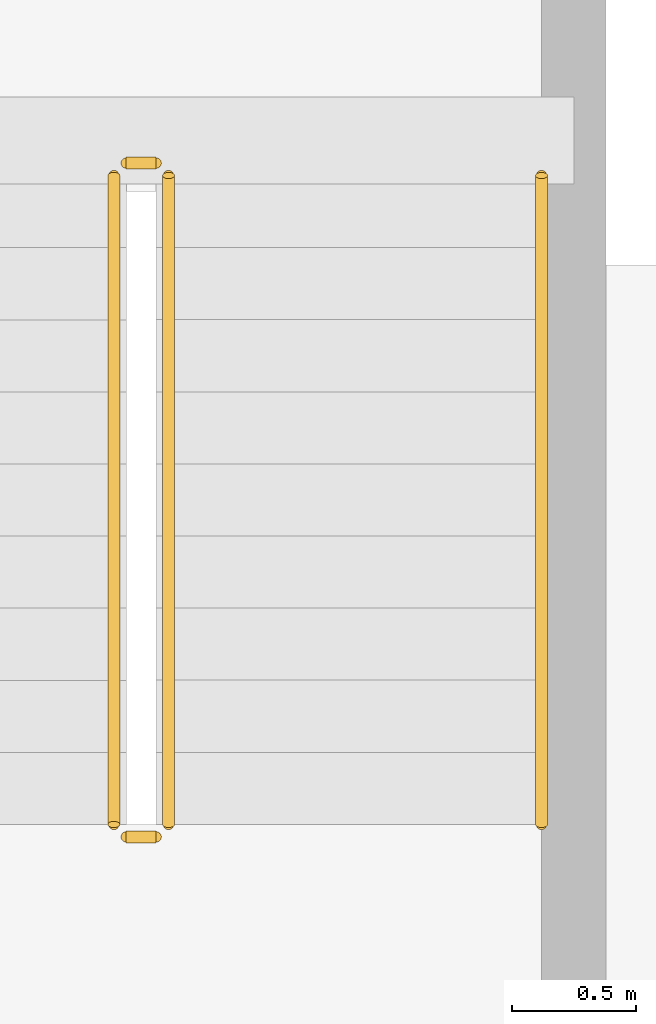
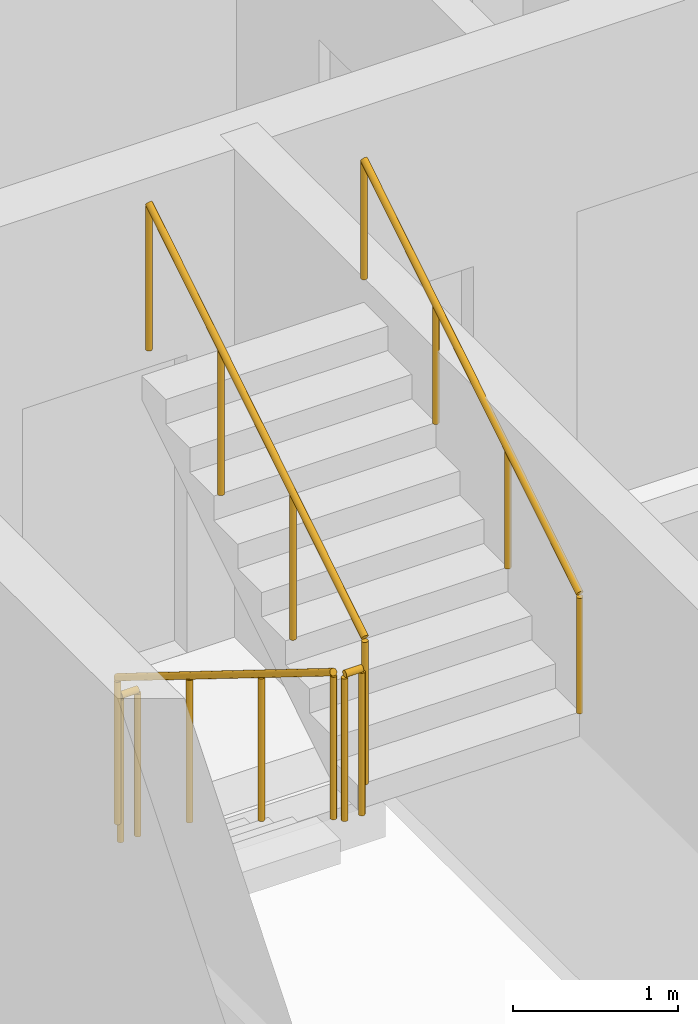
# One storey, part 10 of 11: 5 railings.
"""IFC4 building model written with IfcOpenShell, lengths in metres."""

from ifc_helpers import new_model, si_unit, direction, frame, origin, origin_2d, place, context, subcontext, project, spatial, circle, extrude, material, type_object, element, save


model = new_model("IFC4")

# Units and contexts
model_context = context("Model", 3, precision=1e-05, world=origin(), true_north=direction((0.0, 1.0)))
body_context = subcontext(model_context, "Body", "Model", "MODEL_VIEW")
ifc_project = project(units=[si_unit("LENGTHUNIT", "METRE"), si_unit("AREAUNIT", "SQUARE_METRE"), si_unit("VOLUMEUNIT", "CUBIC_METRE"), si_unit("PLANEANGLEUNIT", "RADIAN"), si_unit("MASSUNIT", "GRAM", prefix="KILO")], contexts=[model_context])

# Site, building, storey
site_placement = place(None, origin())
site = spatial("IfcSite", under=ifc_project, at=site_placement, CompositionType="ELEMENT")
building_placement = place(site_placement, origin())
building = spatial("IfcBuilding", under=site, at=building_placement, Name="Vharandega Faculty of Natural Sciences", CompositionType="ELEMENT")
storey_placement = place(building_placement, frame((0.0, 0.0, 39.60009765625)))
storey = spatial("IfcBuildingStorey", under=building, at=storey_placement, Name="L10", CompositionType="ELEMENT", Elevation=39.60009765625)

# Railings
ifc_material_1 = material(Name="Brushed stainless steel handrail", Category="steel")
railing_type_1 = type_object("IfcRailingType", Name="Stair Tubular Handrail 900", PredefinedType="HANDRAIL", material=ifc_material_1)
railing_1_placement = place(storey_placement, frame((149.330078125, 68.050048828125, 1.97998046875)))
element("IfcRailing", 1, at=railing_1_placement, inside=storey, type_object=railing_type_1, Name="L10 ST2 stair handrail 2", PredefinedType="HANDRAIL", context=body_context, shape_type="SweptSolid", body=[
    extrude(circle(Radius=0.02392578125, at=origin_2d()), frame((0.0, 0.0, 0.8759765625), z_axis=(0.0, 0.849646306263, 0.527352969322), x_axis=(-1.0, 0.0, 0.0)), (0.0, 0.0, 1.0), 3.07177734375),
    extrude(circle(Radius=0.02099609375, at=origin_2d()), origin(), (0.0, 0.0, 1.0), 0.851806640625),
    extrude(circle(Radius=0.02099609375, at=origin_2d()), frame((0.0, 0.869873046875, 0.5400390625)), (0.0, 0.0, 1.0), 0.851806640625),
    extrude(circle(Radius=0.02099609375, at=origin_2d()), frame((0.0, 1.739990234375, 1.079833984375)), (0.0, 0.0, 1.0), 0.851806640625),
    extrude(circle(Radius=0.02099609375, at=origin_2d()), frame((0.0, 2.60986328125, 1.619873046875)), (0.0, 0.0, 1.0), 0.851806640625),
])
ifc_material_2 = material(Name="Painted steel stair guardrail", Category="steel")
railing_type_2 = type_object("IfcRailingType", Name="Stairwell Steel Guardrail 1100", PredefinedType="GUARDRAIL", material=ifc_material_2)
railing_2_placement = place(storey_placement, frame((147.610107421875, 70.659912109375, 0.179931640625)))
element("IfcRailing", 2, at=railing_2_placement, inside=storey, type_object=railing_type_2, Name="L10 ST2 stair guard 1", PredefinedType="GUARDRAIL", context=body_context, shape_type="SweptSolid", body=[
    extrude(circle(Radius=0.02392578125, at=origin_2d()), frame((0.0, 0.0, 1.076171875), z_axis=(0.0, -0.849646306263, 0.527352969322), x_axis=(1.0, 0.0, 0.0)), (0.0, 0.0, 1.0), 3.07177734375),
    extrude(circle(Radius=0.02099609375, at=origin_2d()), origin(), (0.0, 0.0, 1.0), 1.052001953125),
    extrude(circle(Radius=0.02099609375, at=origin_2d()), frame((0.0, -0.869873046875, 0.5400390625)), (0.0, 0.0, 1.0), 1.052001953125),
    extrude(circle(Radius=0.02099609375, at=origin_2d()), frame((0.0, -1.739990234375, 1.079833984375)), (0.0, 0.0, 1.0), 1.052001953125),
    extrude(circle(Radius=0.02099609375, at=origin_2d()), frame((0.0, -2.60986328125, 1.619873046875)), (0.0, 0.0, 1.0), 1.052001953125),
])
railing_3_placement = place(storey_placement, frame((147.659912109375, 68.0, 1.7998046875)))
element("IfcRailing", 3, at=railing_3_placement, inside=storey, type_object=railing_type_2, Name="L10 ST2 stair guard 2", PredefinedType="GUARDRAIL", context=body_context, shape_type="SweptSolid", body=[
    extrude(circle(Radius=0.02392578125, at=origin_2d()), frame((0.0, 0.0, 1.076171875), z_axis=(1.0, 0.0, 0.0), x_axis=(0.0, 1.0, 0.0)), (0.0, 0.0, 1.0), 0.1201171875),
    extrude(circle(Radius=0.02099609375, at=origin_2d()), origin(), (0.0, 0.0, 1.0), 1.052001953125),
    extrude(circle(Radius=0.02099609375, at=origin_2d()), frame((0.1201171875, 0.0, 0.0)), (0.0, 0.0, 1.0), 1.052001953125),
])
railing_4_placement = place(storey_placement, frame((147.830078125, 68.050048828125, 1.97998046875)))
element("IfcRailing", 4, at=railing_4_placement, inside=storey, type_object=railing_type_2, Name="L10 ST2 stair guard 3", PredefinedType="GUARDRAIL", context=body_context, shape_type="SweptSolid", body=[
    extrude(circle(Radius=0.02392578125, at=origin_2d()), frame((0.0, 0.0, 1.076171875), z_axis=(0.0, 0.849646306263, 0.527352969322), x_axis=(-1.0, 0.0, 0.0)), (0.0, 0.0, 1.0), 3.07177734375),
    extrude(circle(Radius=0.02099609375, at=origin_2d()), origin(), (0.0, 0.0, 1.0), 1.052001953125),
    extrude(circle(Radius=0.02099609375, at=origin_2d()), frame((0.0, 0.869873046875, 0.5400390625)), (0.0, 0.0, 1.0), 1.052001953125),
    extrude(circle(Radius=0.02099609375, at=origin_2d()), frame((0.0, 1.739990234375, 1.079833984375)), (0.0, 0.0, 1.0), 1.052001953125),
    extrude(circle(Radius=0.02099609375, at=origin_2d()), frame((0.0, 2.60986328125, 1.619873046875)), (0.0, 0.0, 1.0), 1.052001953125),
])
railing_5_placement = place(storey_placement, frame((147.659912109375, 70.7099609375, 0.0)))
element("IfcRailing", 5, at=railing_5_placement, inside=storey, type_object=railing_type_2, Name="L10 ST2 stair guard 4", PredefinedType="GUARDRAIL", context=body_context, shape_type="SweptSolid", body=[
    extrude(circle(Radius=0.02392578125, at=origin_2d()), frame((0.0, 0.0, 1.076171875), z_axis=(1.0, 0.0, 0.0), x_axis=(0.0, 1.0, 0.0)), (0.0, 0.0, 1.0), 0.1201171875),
    extrude(circle(Radius=0.02099609375, at=origin_2d()), origin(), (0.0, 0.0, 1.0), 1.052001953125),
    extrude(circle(Radius=0.02099609375, at=origin_2d()), frame((0.1201171875, 0.0, 0.0)), (0.0, 0.0, 1.0), 1.052001953125),
])

save(model, "model.ifc")
